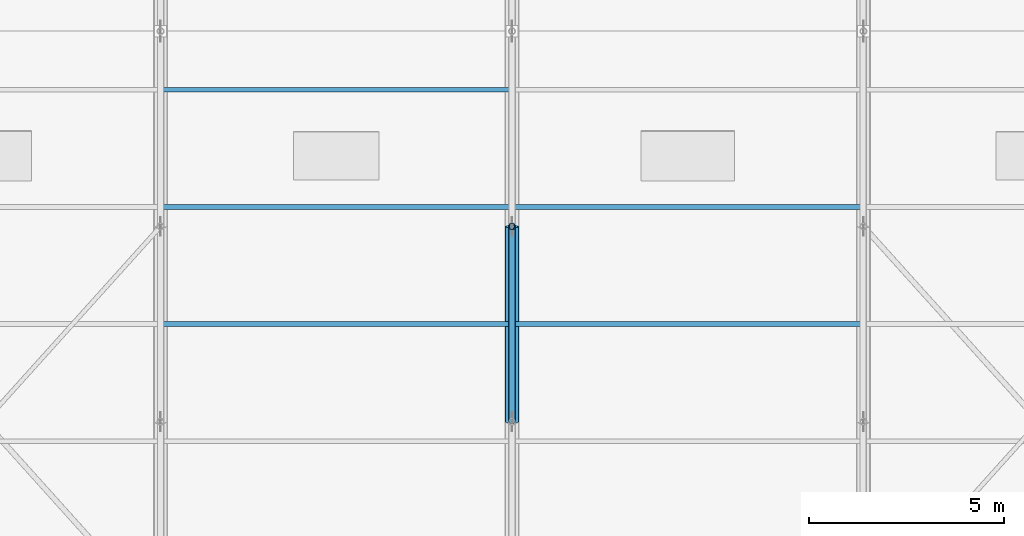
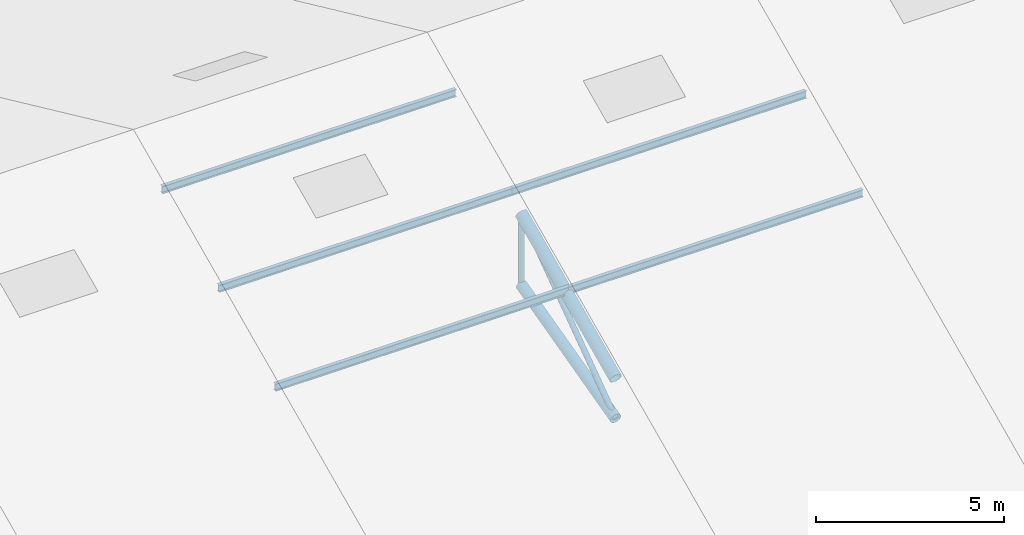
# One storey, part 16 of 107: 9 members.
"""IFC4 building model written with IfcOpenShell, lengths in metres."""

from ifc_helpers import new_model, si_unit, derived_unit, direction, frame, origin, origin_2d, place, context, subcontext, project, spatial, hollow_circle, i_section, extrude, material, material_profile, profile_set, type_object, element, save


model = new_model("IFC4")

# Units and contexts
model_context = context("Model", 3, precision=1e-05, world=origin(), true_north=direction((0.0, 1.0)))
body_context = subcontext(model_context, "Body", "Model", "MODEL_VIEW")
ifc_project = project(units=[si_unit("LENGTHUNIT", "METRE"), si_unit("AREAUNIT", "SQUARE_METRE"), si_unit("VOLUMEUNIT", "CUBIC_METRE"), si_unit("PLANEANGLEUNIT", "RADIAN"), si_unit("MASSUNIT", "GRAM", prefix="KILO"), si_unit("THERMODYNAMICTEMPERATUREUNIT", "KELVIN"), si_unit("TIMEUNIT", "SECOND"), derived_unit("THERMALTRANSMITTANCEUNIT", [(si_unit("MASSUNIT", "GRAM", prefix="KILO"), 1), (si_unit("THERMODYNAMICTEMPERATUREUNIT", "KELVIN"), -1), (si_unit("TIMEUNIT", "SECOND"), -3)])], contexts=[model_context])

# Site, building, storey
site_placement = place(None, origin())
site = spatial("IfcSite", under=ifc_project, at=site_placement, CompositionType="ELEMENT")
building_placement = place(site_placement, origin())
building = spatial("IfcBuilding", under=site, at=building_placement, Name="Cambertide Market Hall", CompositionType="ELEMENT")
storey_placement = place(building_placement, frame((0.0, 0.0, 18.300048828125)))
storey = spatial("IfcBuildingStorey", under=building, at=storey_placement, Name="RF", CompositionType="ELEMENT", Elevation=18.300048828125)

# Members
ifc_material_1 = material(Name="Steel S355", Category="steel")
ifc_material_profile_1 = material_profile(ifc_material_1, hollow_circle(Radius=0.161865234375, WallThickness=0.010009765625, at=origin_2d()), Name="CHS 323.9x10")
ifc_profile_set_1 = profile_set([ifc_material_profile_1], Name="Steel S355")
member_type_1 = type_object("IfcMemberType", Name="Arched Truss Chord CHS 323.9x10", PredefinedType="CHORD", material=ifc_profile_set_1)
member_1_placement = place(storey_placement, frame((60.0, 62.0, -6.251220703125), z_axis=(0.0, 0.968015607618, 0.250889982678), x_axis=(-1.0, 0.0, 0.0)))
element("IfcMember", 1, at=member_1_placement, inside=storey, type_object=member_type_1, Name="Roof Truss 3 Arched Bottom Chord 3", PredefinedType="CHORD", context=body_context, shape_type="SweptSolid", body=[
    extrude(hollow_circle(Radius=0.161865234375, WallThickness=0.010009765625, at=origin_2d()), origin(), (0.0, 0.0, 1.0), 5.165283203125),
])
ifc_material_2 = material(Name="Steel S355", Category="steel")
ifc_material_profile_2 = material_profile(ifc_material_2, hollow_circle(Radius=0.177734375, WallThickness=0.012451171875, at=origin_2d()), Name="CHS 355.6x12.5")
ifc_profile_set_2 = profile_set([ifc_material_profile_2], Name="Steel S355")
member_type_2 = type_object("IfcMemberType", Name="Arched Truss Chord CHS 355.6x12.5", PredefinedType="CHORD", material=ifc_profile_set_2)
member_2_placement = place(storey_placement, frame((60.0, 62.0, -4.949951171875), z_axis=(0.0, 0.908503925861, 0.417876317461), x_axis=(-1.0, 0.0, 0.0)))
element("IfcMember", 2, at=member_2_placement, inside=storey, type_object=member_type_2, Name="Roof Truss 3 Top Chord 3", PredefinedType="CHORD", context=body_context, shape_type="SweptSolid", body=[
    extrude(hollow_circle(Radius=0.177734375, WallThickness=0.012451171875, at=origin_2d()), origin(), (0.0, 0.0, 1.0), 5.503662109375),
])
ifc_material_3 = material(Name="Steel S275", Category="steel")
ifc_material_profile_3 = material_profile(ifc_material_3, i_section(OverallWidth=0.1201171875, OverallDepth=0.239990234375, WebThickness=0.006103515625, FlangeThickness=0.009765625, FilletRadius=0.014892578125, at=origin_2d()), Name="IPE 240")
ifc_profile_set_3 = profile_set([ifc_material_profile_3], Name="Steel S275")
member_type_3 = type_object("IfcMemberType", Name="Roof Purlin IPE 240", PredefinedType="PURLIN", material=ifc_profile_set_3)
for number, where, z_axis, x_axis, name in (
    (3, (51.0, 64.5, -3.590087890625), (1.0, 0.0, 0.0), (0.0, 1.0, 0.0), "Barrel Roof Purlin 2-06"),
    (4, (51.0, 67.5, -2.2099609375), (1.0, 0.0, 0.0), (0.0, 1.0, 0.0), "Barrel Roof Purlin 2-07"),
    (5, (51.0, 70.5, -0.830078125), (1.0, 0.0, 0.0), (0.0, 1.0, 0.0), "Barrel Roof Purlin 2-08"),
    (6, (60.0, 64.5, -3.590087890625), (1.0, 0.0, 0.0), (0.0, 1.0, 0.0), "Barrel Roof Purlin 3-06"),
    (7, (60.0, 67.5, -2.2099609375), (1.0, 0.0, 0.0), (0.0, 1.0, 0.0), "Barrel Roof Purlin 3-07"),
):
    element("IfcMember", number, at=place(storey_placement, frame(where, z_axis=z_axis, x_axis=x_axis)), inside=storey, type_object=member_type_3, Name=name, PredefinedType="PURLIN", context=body_context, shape_type="SweptSolid", body=[
        extrude(i_section(OverallWidth=0.1201171875, OverallDepth=0.239990234375, WebThickness=0.006103515625, FlangeThickness=0.009765625, FilletRadius=0.014892578125, at=origin_2d()), origin(), (0.0, 0.0, 1.0), 9.0),
    ])
ifc_material_4 = material(Name="Steel S355", Category="steel")
ifc_material_profile_4 = material_profile(ifc_material_4, hollow_circle(Radius=0.084228515625, WallThickness=0.00634765625, at=origin_2d()), Name="CHS 168.3x6.3")
ifc_profile_set_4 = profile_set([ifc_material_profile_4], Name="Steel S355")
member_type_4 = type_object("IfcMemberType", Name="Structural Brace CHS 168.3x6.3", PredefinedType="BRACE", material=ifc_profile_set_4)
member_3_placement = place(storey_placement, frame((60.0, 62.0, -6.251220703125), z_axis=(0.0, 0.811451666424, 0.584419535144), x_axis=(-1.0, 0.0, 0.0)))
element("IfcMember", 8, at=member_3_placement, inside=storey, type_object=member_type_4, Name="Roof Truss 3 Web Diagonal 3", PredefinedType="BRACE", context=body_context, shape_type="SweptSolid", body=[
    extrude(hollow_circle(Radius=0.084228515625, WallThickness=0.00634765625, at=origin_2d()), origin(), (0.0, 0.0, 1.0), 6.161865234375),
])
member_4_placement = place(storey_placement, frame((60.0, 67.0, -4.955322265625), z_axis=(0.0, 0.0, 1.0), x_axis=(1.0, 0.0, 0.0)))
element("IfcMember", 9, at=member_4_placement, inside=storey, type_object=member_type_4, Name="Roof Truss 3 Web Post 4", PredefinedType="BRACE", context=body_context, shape_type="SweptSolid", body=[
    extrude(hollow_circle(Radius=0.084228515625, WallThickness=0.00634765625, at=origin_2d()), origin(), (0.0, 0.0, 1.0), 2.30517578125),
])

save(model, "model.ifc")
